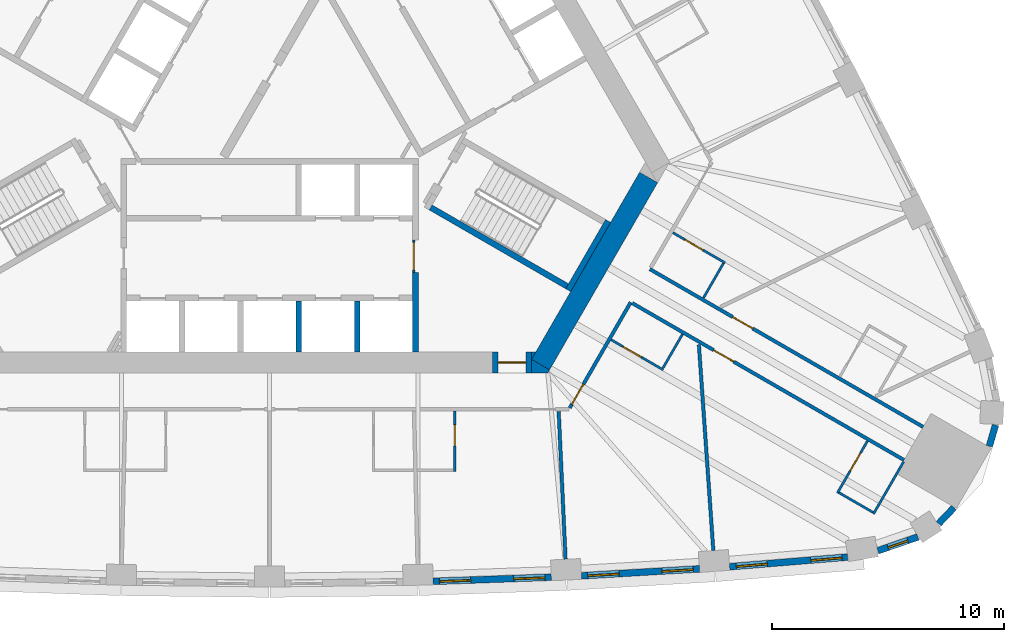
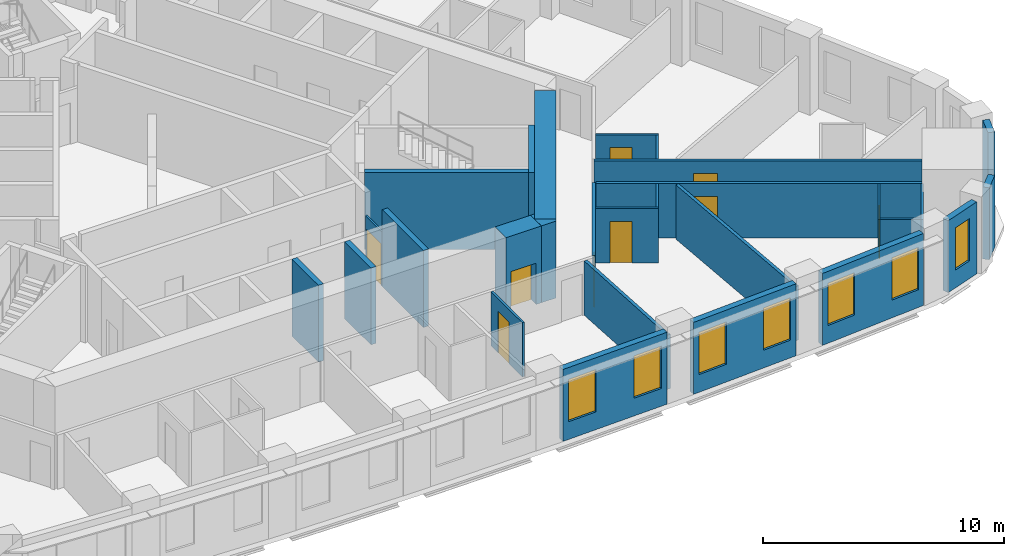
# One storey, part 7 of 12: 29 walls, 9 doors, 7 windows, 16 openings.
"""IFC4 building model written with IfcOpenShell, lengths in metres."""

import ifcopenshell
import ifcopenshell.guid

model = None  # the IFC model being written
_history = None  # IfcOwnerHistory: only IFC2X3 demands one
_inside = {}  # id of a spatial element -> (the spatial element, [elements in it])
_under = {}  # id of a project, library or spatial element -> (it, [spatial elements below it])
_declared = {}  # id of a project -> (the project, [libraries it declares])
_typed = {}  # id of a type object -> (the type object, [elements of that type])
_made_of = {}  # id of a material, layer set ... -> (it, [elements and type objects made of it])


def new_model(schema):
    """Start an empty IFC model of exactly this schema.

    Asked for "IFC4X3", IfcOpenShell would pick the latest addendum, in which some entities
    have other attributes; the version numbers below select the first issue.
    IFC2X3 requires an IfcOwnerHistory on every rooted entity: one is made here for all.
    """
    global model, _history
    if schema == "IFC4X3":
        model = ifcopenshell.file(schema_version=(4, 3, 0, 0))
    else:
        model = ifcopenshell.file(schema=schema)
    _inside.clear()
    _under.clear()
    _declared.clear()
    _typed.clear()
    _made_of.clear()
    _history = None
    if model.schema == "IFC2X3":
        org = make("IfcOrganization", Name="unknown")
        user = make(
            "IfcPersonAndOrganization",
            ThePerson=make("IfcPerson", FamilyName="unknown"),
            TheOrganization=org,
        )
        app = make(
            "IfcApplication",
            ApplicationDeveloper=org,
            Version="unknown",
            ApplicationFullName="unknown",
            ApplicationIdentifier="unknown",
        )
        _history = make(
            "IfcOwnerHistory",
            OwningUser=user,
            OwningApplication=app,
            ChangeAction="ADDED",
            CreationDate=0,
        )
    return model


def make(cls, **values):
    """One entity of the class cls with the attributes given. An attribute that is None is left unset."""
    return model.create_entity(
        cls, **{name: value for name, value in values.items() if value is not None}
    )


def rooted(cls, **values):
    """An entity with a GlobalId (a new one), such as an element, a storey or a relation."""
    return make(cls, GlobalId=ifcopenshell.guid.new(), OwnerHistory=_history, **values)


def si_unit(unit_type, name, prefix=None):
    """IfcSIUnit, for example si_unit("LENGTHUNIT", "METRE", prefix="MILLI")."""
    return make("IfcSIUnit", UnitType=unit_type, Prefix=prefix, Name=name)


def assignment(units):
    """IfcUnitAssignment: the units of a project."""
    return None if units is None else make("IfcUnitAssignment", Units=units)


def point(xyz):
    """IfcCartesianPoint."""
    return None if xyz is None else make("IfcCartesianPoint", Coordinates=xyz)


def direction(xyz):
    """IfcDirection."""
    return None if xyz is None else make("IfcDirection", DirectionRatios=xyz)


def frame(location, z_axis=None, x_axis=None):
    """IfcAxis2Placement3D, a coordinate frame: its origin and axes. An axis left out is left unset."""
    return make(
        "IfcAxis2Placement3D",
        Location=point(location),
        Axis=direction(z_axis),
        RefDirection=direction(x_axis),
    )


def frame_2d(location, x_axis=None):
    """IfcAxis2Placement2D, a coordinate frame in the plane: its origin and x axis."""
    return make(
        "IfcAxis2Placement2D", Location=point(location), RefDirection=direction(x_axis)
    )


def origin():
    """The frame at (0, 0, 0) with its axes left unset."""
    return frame((0.0, 0.0, 0.0))


def place(relative_to, where):
    """IfcLocalPlacement: puts the frame where relative to a parent placement (None: the world)."""
    return make(
        "IfcLocalPlacement", PlacementRelTo=relative_to, RelativePlacement=where
    )


def context(
    kind, dimensions, precision=None, world=None, true_north=None, identifier=None
):
    """IfcGeometricRepresentationContext, for example the 3D "Model" context."""
    return make(
        "IfcGeometricRepresentationContext",
        ContextIdentifier=identifier,
        ContextType=kind,
        CoordinateSpaceDimension=dimensions,
        Precision=precision,
        WorldCoordinateSystem=world,
        TrueNorth=true_north,
    )


def subcontext(parent, identifier, kind, view, scale=None):
    """IfcGeometricRepresentationSubContext, for example "Body" below "Model"."""
    return make(
        "IfcGeometricRepresentationSubContext",
        ContextIdentifier=identifier,
        ContextType=kind,
        ParentContext=parent,
        TargetScale=scale,
        TargetView=view,
    )


def project(units=None, contexts=None):
    """IfcProject with its units and contexts."""
    return rooted(
        "IfcProject",
        Name="project",
        RepresentationContexts=contexts,
        UnitsInContext=assignment(units),
    )


def spatial(cls, under=None, at=None, **own):
    """A site, building, storey or space (cls), placed at a placement, below another one or the project."""
    s = rooted(cls, ObjectPlacement=at, **own)
    if under is not None:
        _under.setdefault(under.id(), (under, []))[1].append(s)
    return s


def polyline(points):
    """IfcPolyline through the points."""
    return make("IfcPolyline", Points=[point(p) for p in points])


def profile(cls, at=None, kind="AREA", **sizes):
    """A parametric profile (cls). Its sizes go by their IFC names, for example OverallWidth=200.0."""
    return make(cls, ProfileType=kind, Position=at, **sizes)


def rectangle(**sizes):
    """IfcRectangleProfileDef."""
    return profile("IfcRectangleProfileDef", **sizes)


def outline(outer, holes=None, kind="AREA"):
    """IfcArbitraryClosedProfileDef: a profile drawn as a closed curve; with holes, ...WithVoids."""
    if holes is None:
        return make("IfcArbitraryClosedProfileDef", ProfileType=kind, OuterCurve=outer)
    return make(
        "IfcArbitraryProfileDefWithVoids",
        ProfileType=kind,
        OuterCurve=outer,
        InnerCurves=holes,
    )


def extrude(swept, where, along, depth):
    """IfcExtrudedAreaSolid: the profile swept, set in the frame where, extruded along a direction by depth."""
    return make(
        "IfcExtrudedAreaSolid",
        SweptArea=swept,
        Position=where,
        ExtrudedDirection=direction(along),
        Depth=depth,
    )


def shape(context_of_items, identifier, shape_type, items):
    """IfcShapeRepresentation: the items that make up one representation, for example the "Body"."""
    return make(
        "IfcShapeRepresentation",
        ContextOfItems=context_of_items,
        RepresentationIdentifier=identifier,
        RepresentationType=shape_type,
        Items=items,
    )


def material(Name=None, Category=None):
    """IfcMaterial."""
    return make("IfcMaterial", Name=Name, Category=Category)


def layer(
    of_material, thickness, ventilated=None, Name=None, Category=None, Priority=None
):
    """IfcMaterialLayer: one layer of a wall or slab, of a material (None: an air gap)."""
    return make(
        "IfcMaterialLayer",
        Material=of_material,
        LayerThickness=thickness,
        IsVentilated=ventilated,
        Name=Name,
        Category=Category,
        Priority=Priority,
    )


def layer_set(layers, Name=None):
    """IfcMaterialLayerSet."""
    return make("IfcMaterialLayerSet", MaterialLayers=layers, LayerSetName=Name)


def made_of(thing, what):
    """Note that an element or type object is made of a material, layer set ...; save() writes the relation."""
    if what is not None:
        _made_of.setdefault(what.id(), (what, []))[1].append(thing)
    return thing


def type_object(cls, material=None, **own):
    """A type object (cls), such as IfcWallType, which elements share."""
    return made_of(rooted(cls, **own), material)


def element(
    cls,
    number,
    at=None,
    inside=None,
    cuts=None,
    type_object=None,
    material=None,
    context=None,
    identifier="Body",
    shape_type=None,
    held_by="IfcProductDefinitionShape",
    body=None,
    shapes=None,
    **own,
):
    """One element of the class cls, such as IfcWall. Its Tag is "e" and its number.

    at: its placement. inside: the storey or other place that contains it. cuts: it is an
    opening in that element (IfcRelVoidsElement). A single representation is given by context,
    identifier, shape_type and body (its items); several are given by shapes. held_by: the class
    of the entity that holds the representations. save() writes the other relations.
    """
    e = rooted(cls, Tag="e%d" % number, ObjectPlacement=at, **own)
    if body is not None:
        shapes = [shape(context, identifier, shape_type, body)]
    if shapes is not None:
        e.Representation = make(held_by, Representations=shapes)
    if inside is not None:
        _inside.setdefault(inside.id(), (inside, []))[1].append(e)
    if cuts is not None:
        rooted(
            "IfcRelVoidsElement", RelatingBuildingElement=cuts, RelatedOpeningElement=e
        )
    if type_object is not None:
        _typed.setdefault(type_object.id(), (type_object, []))[1].append(e)
    return made_of(e, material)


def fill(opening, filler):
    """IfcRelFillsElement: the door or window that sits in an opening."""
    return rooted(
        "IfcRelFillsElement",
        RelatingOpeningElement=opening,
        RelatedBuildingElement=filler,
    )


def aggregate(whole, parts):
    """IfcRelAggregates: a whole, such as a stair, and the parts it consists of."""
    return rooted("IfcRelAggregates", RelatingObject=whole, RelatedObjects=parts)


def save(model, path):
    """Write the relations noted so far, then the file.

    IfcRelAggregates (storeys below a building ...), IfcRelContainedInSpatialStructure (elements
    in a storey), IfcRelDefinesByType, IfcRelAssociatesMaterial and IfcRelDeclares: one each for
    every whole, place, type object, material and project.
    """
    for whole, parts in _under.values():
        aggregate(whole, parts)
    for where, things in _inside.values():
        rooted(
            "IfcRelContainedInSpatialStructure",
            RelatedElements=things,
            RelatingStructure=where,
        )
    for kind, things in _typed.values():
        rooted("IfcRelDefinesByType", RelatedObjects=things, RelatingType=kind)
    for what, things in _made_of.values():
        rooted("IfcRelAssociatesMaterial", RelatedObjects=things, RelatingMaterial=what)
    for by, libraries in _declared.values():
        rooted("IfcRelDeclares", RelatingContext=by, RelatedDefinitions=libraries)
    model.write(path)


model = new_model("IFC4")

# Units and contexts
model_context = context("Model", 3, precision=1e-05, world=origin(), true_north=direction((0.0, 1.0)))
body_context = subcontext(model_context, "Body", "Model", "MODEL_VIEW")
ifc_project = project(units=[si_unit("LENGTHUNIT", "METRE"), si_unit("AREAUNIT", "SQUARE_METRE"), si_unit("VOLUMEUNIT", "CUBIC_METRE"), si_unit("PLANEANGLEUNIT", "RADIAN"), si_unit("MASSUNIT", "GRAM", prefix="KILO")], contexts=[model_context])

# Site, building, storey
site_placement = place(None, origin())
site = spatial("IfcSite", under=ifc_project, at=site_placement, CompositionType="ELEMENT")
building_placement = place(site_placement, origin())
building = spatial("IfcBuilding", under=site, at=building_placement, Name="Mestral Congress Tower", CompositionType="ELEMENT")
storey_placement = place(building_placement, frame((0.0, 0.0, 103.199951171875)))
storey = spatial("IfcBuildingStorey", under=building, at=storey_placement, Name="L24", CompositionType="ELEMENT", Elevation=103.199951171875)

# Wall, opening, door
ifc_material_1 = material(Name="Fire-rated board partition")
ifc_layer_1 = layer(ifc_material_1, 0.090087890625)
ifc_layer_set_1 = layer_set([ifc_layer_1], Name="Fire-rated board partition")
wall_type_1 = type_object("IfcWallType", Name="Core partition 150 door-wall 90", PredefinedType="PARTITIONING", material=ifc_layer_set_1)
wall_1_placement = place(storey_placement, frame((6.219970703125, -7.266357421875, 0.0), z_axis=(0.0, 0.0, 1.0), x_axis=(0.0, -1.0, 0.0)))
wall_1 = element("IfcWall", 1, at=wall_1_placement, inside=storey, type_object=wall_type_1, Name="L24 door wall", PredefinedType="PARTITIONING", context=body_context, shape_type="SweptSolid", body=[
    extrude(rectangle(XDim=1.400146484375, YDim=0.090087890625, at=frame_2d((0.7001953125, 0.0))), origin(), (0.0, 0.0, 1.0), 2.75),
])
opening_1_placement = place(wall_1_placement, frame((0.10009765625, 0.0, 0.0)))
opening_1 = element("IfcOpeningElement", 2, at=opening_1_placement, cuts=wall_1, Name="Opening LB0-WL1", PredefinedType="OPENING", context=body_context, shape_type="SweptSolid", body=[
    extrude(rectangle(XDim=1.199951171875, YDim=2.10009765625, at=frame_2d((0.60009765625, 1.050048828125))), frame((0.0, 0.054931640625, 0.0), z_axis=(0.0, -1.0, 0.0), x_axis=(1.0, 0.0, 0.0)), (0.0, 0.0, 1.0), 0.110107421875),
])
ifc_material_2 = material(Name="Fire-rated steel door set", Category="steel")
door_type_1 = type_object("IfcDoorType", Name="Core door LB 1200x2100", OperationType="SINGLE_SWING_LEFT", PredefinedType="DOOR", material=ifc_material_2)
door_1_placement = place(opening_1_placement, origin())
door_1 = element("IfcDoor", 3, at=door_1_placement, inside=storey, type_object=door_type_1, Name="Door LB0-WL1", OperationType="SINGLE_SWING_LEFT", OverallHeight=2.10009765625, OverallWidth=1.199951171875, PredefinedType="DOOR", context=body_context, shape_type="SweptSolid", body=[
    extrude(rectangle(XDim=1.199951171875, YDim=2.10009765625, at=frame_2d((0.60009765625, 1.050048828125))), frame((0.0, 0.02490234375, 0.0), z_axis=(0.0, -1.0, 0.0), x_axis=(1.0, 0.0, 0.0)), (0.0, 0.0, 1.0), 0.050048828125),
])
fill(opening_1, door_1)

# Walls
ifc_material_3 = material(Name="Concrete C60/75", Category="concrete")
ifc_layer_2 = layer(ifc_material_3, 0.89990234375)
ifc_layer_set_2 = layer_set([ifc_layer_2], Name="Concrete C60/75")
wall_type_2 = type_object("IfcWallType", Name="Core wall RC 900", PredefinedType="SOLIDWALL", material=ifc_layer_set_2)
wall_2_placement = place(storey_placement, frame((11.69482421875, -12.643798828125, 0.0), z_axis=(0.0, 0.0, 1.0), x_axis=(0.500010229568, 0.86601949766, 0.0)))
element("IfcWall", 4, at=wall_2_placement, inside=storey, type_object=wall_type_2, Name="L24 core wall", PredefinedType="SOLIDWALL", context=body_context, shape_type="SweptSolid", body=[
    extrude(rectangle(XDim=9.326416015625, YDim=0.89990234375, at=frame_2d((4.6630859375, 0.0))), origin(), (0.0, 0.0, 1.0), 3.900146484375),
])
placement = place(storey_placement, origin())
element("IfcWall", 5, at=placement, inside=storey, type_object=wall_type_2, Name="L24 core wall", PredefinedType="SOLIDWALL", context=body_context, shape_type="SweptSolid", body=[
    extrude(outline(polyline([(12.0087890625, -13.0), (11.31201171875, -13.0), (11.31201171875, -12.425048828125), (12.08349609375, -12.87060546875), (12.0087890625, -13.0)])), origin(), (0.0, 0.0, 1.0), 3.900146484375),
])
element("IfcWall", 6, at=placement, inside=storey, type_object=wall_type_2, Name="L24 core wall", PredefinedType="SOLIDWALL", context=body_context, shape_type="SweptSolid", body=[
    extrude(outline(polyline([(11.4892578125, -12.10009765625), (11.31201171875, -12.4072265625), (11.31201171875, -12.10009765625), (11.4892578125, -12.10009765625)])), origin(), (0.0, 0.0, 1.0), 3.900146484375),
])

# Wall, opening, door
wall_5_placement = place(storey_placement, frame((11.311767578125, -12.550048828125, 0.0), z_axis=(0.0, 0.0, 1.0), x_axis=(-1.0, 0.0, 0.0)))
wall_5 = element("IfcWall", 7, at=wall_5_placement, inside=storey, type_object=wall_type_2, Name="L24 door wall", PredefinedType="SOLIDWALL", context=body_context, shape_type="SweptSolid", body=[
    extrude(rectangle(XDim=1.699951171875, YDim=0.89990234375, at=frame_2d((0.85009765625, 0.0))), origin(), (0.0, 0.0, 1.0), 3.900146484375),
])
opening_2_placement = place(wall_5_placement, frame((0.25, 0.0, 0.0)))
opening_2 = element("IfcOpeningElement", 8, at=opening_2_placement, cuts=wall_5, Name="Opening XD1", PredefinedType="OPENING", context=body_context, shape_type="SweptSolid", body=[
    extrude(rectangle(XDim=1.199951171875, YDim=2.10009765625, at=frame_2d((0.60009765625, 1.050048828125))), frame((0.0, 0.4599609375, 0.0), z_axis=(0.0, -1.0, 0.0), x_axis=(1.0, 0.0, 0.0)), (0.0, 0.0, 1.0), 0.919921875),
])
door_type_2 = type_object("IfcDoorType", Name="Core door XD 1200x2100", OperationType="SINGLE_SWING_LEFT", PredefinedType="DOOR", material=ifc_material_2)
door_2_placement = place(opening_2_placement, origin())
door_2 = element("IfcDoor", 9, at=door_2_placement, inside=storey, type_object=door_type_2, Name="Door XD1", OperationType="SINGLE_SWING_LEFT", OverallHeight=2.10009765625, OverallWidth=1.199951171875, PredefinedType="DOOR", context=body_context, shape_type="SweptSolid", body=[
    extrude(rectangle(XDim=1.199951171875, YDim=2.10009765625, at=frame_2d((0.60009765625, 1.050048828125))), frame((0.0, 0.02490234375, 0.0), z_axis=(0.0, -1.0, 0.0), x_axis=(1.0, 0.0, 0.0)), (0.0, 0.0, 1.0), 0.050048828125),
])
fill(opening_2, door_2)

# Wall, openings, windows
ifc_material_4 = material(Name="Precast concrete C40/50 with limestone facing", Category="masonry")
ifc_layer_3 = layer(ifc_material_4, 0.2900390625)
ifc_layer_set_3 = layer_set([ifc_layer_3], Name="Precast concrete C40/50 with limestone facing")
wall_type_3 = type_object("IfcWallType", Name="Facade stone wall 290", PredefinedType="SOLIDWALL", material=ifc_layer_set_3)
wall_6_placement = place(storey_placement, frame((7.059326171875, -22.000732421875, 0.0), z_axis=(0.0, 0.0, 1.0), x_axis=(0.999385993957, 0.035037623812, 0.0)))
wall_6 = element("IfcWall", 10, at=wall_6_placement, inside=storey, type_object=wall_type_3, Name="Facade wall F0-05", PredefinedType="SOLIDWALL", context=body_context, shape_type="SweptSolid", body=[
    extrude(rectangle(XDim=5.1005859375, YDim=0.2900390625, at=frame_2d((2.55029296875, 0.0))), origin(), (0.0, 0.0, 1.0), 3.650146484375),
])
opening_3_placement = place(wall_6_placement, frame((0.272705078125, 0.0, 0.89990234375)))
opening_3 = element("IfcOpeningElement", 11, at=opening_3_placement, cuts=wall_6, Name="Opening W2", PredefinedType="OPENING", context=body_context, shape_type="SweptSolid", body=[
    extrude(rectangle(XDim=1.35009765625, YDim=2.14990234375, at=frame_2d((0.675048828125, 1.074951171875))), frame((0.0, 0.155029296875, 0.0), z_axis=(0.0, -1.0, 0.0), x_axis=(1.0, 0.0, 0.0)), (0.0, 0.0, 1.0), 0.31005859375),
])
opening_4_placement = place(wall_6_placement, frame((3.477783203125, 0.0, 0.89990234375)))
opening_4 = element("IfcOpeningElement", 12, at=opening_4_placement, cuts=wall_6, Name="Opening W2", PredefinedType="OPENING", context=body_context, shape_type="SweptSolid", body=[
    extrude(rectangle(XDim=1.35009765625, YDim=2.14990234375, at=frame_2d((0.675048828125, 1.074951171875))), frame((0.0, 0.155029296875, 0.0), z_axis=(0.0, -1.0, 0.0), x_axis=(1.0, 0.0, 0.0)), (0.0, 0.0, 1.0), 0.31005859375),
])
ifc_material_5 = material(Name="Clear low-emissivity double glazing", Category="glass")
window_type_1 = type_object("IfcWindowType", Name="Facade punched window 1350 x 2150 sill 900", PartitioningType="DOUBLE_PANEL_VERTICAL", PredefinedType="WINDOW", material=ifc_material_5)
window_1_placement = place(opening_3_placement, origin())
window_1 = element("IfcWindow", 13, at=window_1_placement, inside=storey, type_object=window_type_1, Name="Window F0-05a", OverallHeight=2.14990234375, OverallWidth=1.35009765625, PartitioningType="DOUBLE_PANEL_VERTICAL", PredefinedType="WINDOW", context=body_context, shape_type="SweptSolid", body=[
    extrude(rectangle(XDim=1.35009765625, YDim=2.14990234375, at=frame_2d((0.675048828125, 1.074951171875))), frame((0.0, 0.01513671875, 0.0), z_axis=(0.0, -1.0, 0.0), x_axis=(1.0, 0.0, 0.0)), (0.0, 0.0, 1.0), 0.06005859375),
])
fill(opening_3, window_1)
window_2_placement = place(opening_4_placement, origin())
window_2 = element("IfcWindow", 14, at=window_2_placement, inside=storey, type_object=window_type_1, Name="Window F0-05b", OverallHeight=2.14990234375, OverallWidth=1.35009765625, PartitioningType="DOUBLE_PANEL_VERTICAL", PredefinedType="WINDOW", context=body_context, shape_type="SweptSolid", body=[
    extrude(rectangle(XDim=1.35009765625, YDim=2.14990234375, at=frame_2d((0.675048828125, 1.074951171875))), frame((0.0, 0.01513671875, 0.0), z_axis=(0.0, -1.0, 0.0), x_axis=(1.0, 0.0, 0.0)), (0.0, 0.0, 1.0), 0.06005859375),
])
fill(opening_4, window_2)

wall_7_placement = place(storey_placement, frame((13.4619140625, -21.760986328125, 0.0), z_axis=(0.0, 0.0, 1.0), x_axis=(0.998290511436, 0.058447025388, 0.0)))
wall_7 = element("IfcWall", 15, at=wall_7_placement, inside=storey, type_object=wall_type_3, Name="Facade wall F0-06", PredefinedType="SOLIDWALL", context=body_context, shape_type="SweptSolid", body=[
    extrude(rectangle(XDim=5.100341796875, YDim=0.2900390625, at=frame_2d((2.55029296875, 0.0))), origin(), (0.0, 0.0, 1.0), 3.650146484375),
])
opening_5_placement = place(wall_7_placement, frame((0.2724609375, 0.0, 0.89990234375)))
opening_5 = element("IfcOpeningElement", 16, at=opening_5_placement, cuts=wall_7, Name="Opening W2", PredefinedType="OPENING", context=body_context, shape_type="SweptSolid", body=[
    extrude(rectangle(XDim=1.35009765625, YDim=2.14990234375, at=frame_2d((0.675048828125, 1.074951171875))), frame((0.0, 0.155029296875, 0.0), z_axis=(0.0, -1.0, 0.0), x_axis=(1.0, 0.0, 0.0)), (0.0, 0.0, 1.0), 0.31005859375),
])
opening_6_placement = place(wall_7_placement, frame((3.477783203125, 0.0, 0.89990234375)))
opening_6 = element("IfcOpeningElement", 17, at=opening_6_placement, cuts=wall_7, Name="Opening W2", PredefinedType="OPENING", context=body_context, shape_type="SweptSolid", body=[
    extrude(rectangle(XDim=1.35009765625, YDim=2.14990234375, at=frame_2d((0.675048828125, 1.074951171875))), frame((0.0, 0.155029296875, 0.0), z_axis=(0.0, -1.0, 0.0), x_axis=(1.0, 0.0, 0.0)), (0.0, 0.0, 1.0), 0.31005859375),
])
window_3_placement = place(opening_5_placement, origin())
window_3 = element("IfcWindow", 18, at=window_3_placement, inside=storey, type_object=window_type_1, Name="Window F0-06a", OverallHeight=2.14990234375, OverallWidth=1.35009765625, PartitioningType="DOUBLE_PANEL_VERTICAL", PredefinedType="WINDOW", context=body_context, shape_type="SweptSolid", body=[
    extrude(rectangle(XDim=1.35009765625, YDim=2.14990234375, at=frame_2d((0.675048828125, 1.074951171875))), frame((0.0, 0.01513671875, 0.0), z_axis=(0.0, -1.0, 0.0), x_axis=(1.0, 0.0, 0.0)), (0.0, 0.0, 1.0), 0.06005859375),
])
fill(opening_5, window_3)
window_4_placement = place(opening_6_placement, origin())
window_4 = element("IfcWindow", 19, at=window_4_placement, inside=storey, type_object=window_type_1, Name="Window F0-06b", OverallHeight=2.14990234375, OverallWidth=1.35009765625, PartitioningType="DOUBLE_PANEL_VERTICAL", PredefinedType="WINDOW", context=body_context, shape_type="SweptSolid", body=[
    extrude(rectangle(XDim=1.35009765625, YDim=2.14990234375, at=frame_2d((0.675048828125, 1.074951171875))), frame((0.0, 0.01513671875, 0.0), z_axis=(0.0, -1.0, 0.0), x_axis=(1.0, 0.0, 0.0)), (0.0, 0.0, 1.0), 0.06005859375),
])
fill(opening_6, window_4)

wall_8_placement = place(storey_placement, frame((19.856689453125, -21.37109375, 0.0), z_axis=(0.0, 0.0, 1.0), x_axis=(0.99665273362, 0.081751627308, 0.0)))
wall_8 = element("IfcWall", 20, at=wall_8_placement, inside=storey, type_object=wall_type_3, Name="Facade wall F0-07", PredefinedType="SOLIDWALL", context=body_context, shape_type="SweptSolid", body=[
    extrude(rectangle(XDim=5.106689453125, YDim=0.2900390625, at=frame_2d((2.55322265625, 0.0))), origin(), (0.0, 0.0, 1.0), 3.650146484375),
])
opening_7_placement = place(wall_8_placement, frame((0.285400390625, 0.0, 0.89990234375)))
opening_7 = element("IfcOpeningElement", 21, at=opening_7_placement, cuts=wall_8, Name="Opening W2", PredefinedType="OPENING", context=body_context, shape_type="SweptSolid", body=[
    extrude(rectangle(XDim=1.35009765625, YDim=2.14990234375, at=frame_2d((0.675048828125, 1.074951171875))), frame((0.0, 0.155029296875, 0.0), z_axis=(0.0, -1.0, 0.0), x_axis=(1.0, 0.0, 0.0)), (0.0, 0.0, 1.0), 0.31005859375),
])
opening_8_placement = place(wall_8_placement, frame((3.51611328125, 0.0, 0.89990234375)))
opening_8 = element("IfcOpeningElement", 22, at=opening_8_placement, cuts=wall_8, Name="Opening W2", PredefinedType="OPENING", context=body_context, shape_type="SweptSolid", body=[
    extrude(rectangle(XDim=1.35009765625, YDim=2.14990234375, at=frame_2d((0.675048828125, 1.074951171875))), frame((0.0, 0.155029296875, 0.0), z_axis=(0.0, -1.0, 0.0), x_axis=(1.0, 0.0, 0.0)), (0.0, 0.0, 1.0), 0.31005859375),
])
window_5_placement = place(opening_7_placement, origin())
window_5 = element("IfcWindow", 23, at=window_5_placement, inside=storey, type_object=window_type_1, Name="Window F0-07a", OverallHeight=2.14990234375, OverallWidth=1.35009765625, PartitioningType="DOUBLE_PANEL_VERTICAL", PredefinedType="WINDOW", context=body_context, shape_type="SweptSolid", body=[
    extrude(rectangle(XDim=1.35009765625, YDim=2.14990234375, at=frame_2d((0.675048828125, 1.074951171875))), frame((0.0, 0.01513671875, 0.0), z_axis=(0.0, -1.0, 0.0), x_axis=(1.0, 0.0, 0.0)), (0.0, 0.0, 1.0), 0.06005859375),
])
fill(opening_7, window_5)
window_6_placement = place(opening_8_placement, origin())
window_6 = element("IfcWindow", 24, at=window_6_placement, inside=storey, type_object=window_type_1, Name="Window F0-07b", OverallHeight=2.14990234375, OverallWidth=1.35009765625, PartitioningType="DOUBLE_PANEL_VERTICAL", PredefinedType="WINDOW", context=body_context, shape_type="SweptSolid", body=[
    extrude(rectangle(XDim=1.35009765625, YDim=2.14990234375, at=frame_2d((0.675048828125, 1.074951171875))), frame((0.0, 0.01513671875, 0.0), z_axis=(0.0, -1.0, 0.0), x_axis=(1.0, 0.0, 0.0)), (0.0, 0.0, 1.0), 0.06005859375),
])
fill(opening_8, window_6)

# Wall, opening, window
wall_9_placement = place(storey_placement, frame((26.260986328125, -20.67919921875, 0.0), z_axis=(0.0, 0.0, 1.0), x_axis=(0.945385815453, 0.325953462844, 0.0)))
wall_9 = element("IfcWall", 25, at=wall_9_placement, inside=storey, type_object=wall_type_3, Name="Facade wall K0-0", PredefinedType="SOLIDWALL", context=body_context, shape_type="SweptSolid", body=[
    extrude(rectangle(XDim=1.8193359375, YDim=0.2900390625, at=frame_2d((0.90966796875, 0.0))), origin(), (0.0, 0.0, 1.0), 3.650146484375),
])
opening_9_placement = place(wall_9_placement, frame((0.459716796875, 0.0, 0.89990234375)))
opening_9 = element("IfcOpeningElement", 26, at=opening_9_placement, cuts=wall_9, Name="Opening W3", PredefinedType="OPENING", context=body_context, shape_type="SweptSolid", body=[
    extrude(rectangle(XDim=0.89990234375, YDim=2.14990234375, at=frame_2d((0.449951171875, 1.074951171875))), frame((0.0, 0.155029296875, 0.0), z_axis=(0.0, -1.0, 0.0), x_axis=(1.0, 0.0, 0.0)), (0.0, 0.0, 1.0), 0.31005859375),
])
window_type_2 = type_object("IfcWindowType", Name="Facade punched window 900 x 2150 sill 900", PartitioningType="SINGLE_PANEL", PredefinedType="WINDOW", material=ifc_material_5)
window_7_placement = place(opening_9_placement, origin())
window_7 = element("IfcWindow", 27, at=window_7_placement, inside=storey, type_object=window_type_2, Name="Window K0-0", OverallHeight=2.14990234375, OverallWidth=0.89990234375, PartitioningType="SINGLE_PANEL", PredefinedType="WINDOW", context=body_context, shape_type="SweptSolid", body=[
    extrude(rectangle(XDim=0.89990234375, YDim=2.14990234375, at=frame_2d((0.449951171875, 1.074951171875))), frame((0.0, 0.01513671875, 0.0), z_axis=(0.0, -1.0, 0.0), x_axis=(1.0, 0.0, 0.0)), (0.0, 0.0, 1.0), 0.06005859375),
])
fill(opening_9, window_7)

# Walls
wall_10_placement = place(storey_placement, frame((28.88037109375, -19.50927734375, 0.0), z_axis=(0.0, 0.0, 1.0), x_axis=(0.690414427296, 0.723414071319, 0.0)))
element("IfcWall", 28, at=wall_10_placement, inside=storey, type_object=wall_type_3, Name="Facade wall K0-1", PredefinedType="SOLIDWALL", context=body_context, shape_type="SweptSolid", body=[
    extrude(rectangle(XDim=0.947021484375, YDim=0.2900390625, at=frame_2d((0.4736328125, 0.0))), origin(), (0.0, 0.0, 1.0), 3.650146484375),
])
wall_11_placement = place(storey_placement, frame((31.069091796875, -16.165283203125, 0.0), z_axis=(0.0, 0.0, 1.0), x_axis=(0.281454582132, 0.95957455062, 0.0)))
element("IfcWall", 29, at=wall_11_placement, inside=storey, type_object=wall_type_3, Name="Facade wall K0-2", PredefinedType="SOLIDWALL", context=body_context, shape_type="SweptSolid", body=[
    extrude(rectangle(XDim=0.947265625, YDim=0.2900390625, at=frame_2d((0.4736328125, 0.0))), origin(), (0.0, 0.0, 1.0), 3.650146484375),
])

# Wall, opening, door
ifc_material_6 = material(Name="Gypsum board partition on metal studs with mineral wool", Category="composite")
ifc_layer_4 = layer(ifc_material_6, 0.10009765625)
ifc_layer_set_4 = layer_set([ifc_layer_4], Name="Gypsum board partition on metal studs with mineral wool")
wall_type_4 = type_object("IfcWallType", Name="Hotel partition wall 100", PredefinedType="PARTITIONING", material=ifc_layer_set_4)
wall_12_placement = place(storey_placement, frame((7.98779296875, -17.25, 0.0), z_axis=(0.0, 0.0, 1.0), x_axis=(0.0, 1.0, 0.0)))
wall_12 = element("IfcWall", 30, at=wall_12_placement, inside=storey, type_object=wall_type_4, Name="L24-h-pod06a", PredefinedType="PARTITIONING", context=body_context, shape_type="SweptSolid", body=[
    extrude(rectangle(XDim=2.60009765625, YDim=0.10009765625, at=frame_2d((1.300048828125, 0.0))), origin(), (0.0, 0.0, 1.0), 2.75),
])
opening_10_placement = place(wall_12_placement, frame((1.10009765625, 0.0, 0.0)))
opening_10 = element("IfcOpeningElement", 31, at=opening_10_placement, cuts=wall_12, Name="Opening H07-012", PredefinedType="OPENING", context=body_context, shape_type="SweptSolid", body=[
    extrude(rectangle(XDim=0.89990234375, YDim=2.10009765625, at=frame_2d((0.449951171875, 1.050048828125))), frame((0.0, 0.06005859375, 0.0), z_axis=(0.0, -1.0, 0.0), x_axis=(1.0, 0.0, 0.0)), (0.0, 0.0, 1.0), 0.1201171875),
])
ifc_material_7 = material(Name="Timber veneer door leaf in timber frame", Category="wood")
door_type_3 = type_object("IfcDoorType", Name="Bathroom door 900", OperationType="SINGLE_SWING_LEFT", PredefinedType="DOOR", material=ifc_material_7)
door_3_placement = place(opening_10_placement, origin())
door_3 = element("IfcDoor", 32, at=door_3_placement, inside=storey, type_object=door_type_3, Name="L24-h-d012", OperationType="SINGLE_SWING_RIGHT", OverallHeight=2.10009765625, OverallWidth=0.89990234375, PredefinedType="DOOR", context=body_context, shape_type="SweptSolid", body=[
    extrude(rectangle(XDim=0.89990234375, YDim=2.10009765625, at=frame_2d((0.449951171875, 1.050048828125))), frame((0.0, 0.02490234375, 0.0), z_axis=(0.0, -1.0, 0.0), x_axis=(1.0, 0.0, 0.0)), (0.0, 0.0, 1.0), 0.050048828125),
])
fill(opening_10, door_3)

wall_13_placement = place(storey_placement, frame((14.739501953125, -11.5703125, 0.0), z_axis=(0.0, 0.0, 1.0), x_axis=(0.866021400173, -0.500006934395, 0.0)))
wall_13 = element("IfcWall", 33, at=wall_13_placement, inside=storey, type_object=wall_type_4, Name="L24-h-pod07a", PredefinedType="PARTITIONING", context=body_context, shape_type="SweptSolid", body=[
    extrude(rectangle(XDim=2.60009765625, YDim=0.10009765625, at=frame_2d((1.300048828125, 0.0))), origin(), (0.0, 0.0, 1.0), 2.75),
])
opening_11_placement = place(wall_13_placement, frame((0.60009765625, 0.0, 0.0)))
opening_11 = element("IfcOpeningElement", 34, at=opening_11_placement, cuts=wall_13, Name="Opening H07-014", PredefinedType="OPENING", context=body_context, shape_type="SweptSolid", body=[
    extrude(rectangle(XDim=0.89990234375, YDim=2.10009765625, at=frame_2d((0.449951171875, 1.050048828125))), frame((0.0, 0.06005859375, 0.0), z_axis=(0.0, -1.0, 0.0), x_axis=(1.0, 0.0, 0.0)), (0.0, 0.0, 1.0), 0.1201171875),
])
door_4_placement = place(opening_11_placement, origin())
door_4 = element("IfcDoor", 35, at=door_4_placement, inside=storey, type_object=door_type_3, Name="L24-h-d014", OperationType="SINGLE_SWING_LEFT", OverallHeight=2.10009765625, OverallWidth=0.89990234375, PredefinedType="DOOR", context=body_context, shape_type="SweptSolid", body=[
    extrude(rectangle(XDim=0.89990234375, YDim=2.10009765625, at=frame_2d((0.449951171875, 1.050048828125))), frame((0.0, 0.02490234375, 0.0), z_axis=(0.0, -1.0, 0.0), x_axis=(1.0, 0.0, 0.0)), (0.0, 0.0, 1.0), 0.050048828125),
])
fill(opening_11, door_4)

# Wall
wall_14_placement = place(storey_placement, frame((16.977783203125, -12.793212890625, 0.0), z_axis=(0.0, 0.0, 1.0), x_axis=(0.500147619332, 0.865940158947, 0.0)))
element("IfcWall", 36, at=wall_14_placement, inside=storey, type_object=wall_type_4, Name="L24-h-pod07b", PredefinedType="PARTITIONING", context=body_context, shape_type="SweptSolid", body=[
    extrude(rectangle(XDim=1.68994140625, YDim=0.10009765625, at=frame_2d((0.844970703125, 0.0))), origin(), (0.0, 0.0, 1.0), 2.75),
])

# Wall, opening, door
wall_15_placement = place(storey_placement, frame((25.806640625, -15.938720703125, 0.0), z_axis=(0.0, 0.0, 1.0), x_axis=(-0.500006934395, -0.866021400173, 0.0)))
wall_15 = element("IfcWall", 37, at=wall_15_placement, inside=storey, type_object=wall_type_4, Name="L24-h-pod08a", PredefinedType="PARTITIONING", context=body_context, shape_type="SweptSolid", body=[
    extrude(rectangle(XDim=2.60009765625, YDim=0.10009765625, at=frame_2d((1.300048828125, 0.0))), origin(), (0.0, 0.0, 1.0), 2.75),
])
opening_12_placement = place(wall_15_placement, frame((0.60009765625, 0.0, 0.0)))
opening_12 = element("IfcOpeningElement", 38, at=opening_12_placement, cuts=wall_15, Name="Opening H07-016", PredefinedType="OPENING", context=body_context, shape_type="SweptSolid", body=[
    extrude(rectangle(XDim=0.89990234375, YDim=2.10009765625, at=frame_2d((0.449951171875, 1.050048828125))), frame((0.0, 0.06005859375, 0.0), z_axis=(0.0, -1.0, 0.0), x_axis=(1.0, 0.0, 0.0)), (0.0, 0.0, 1.0), 0.1201171875),
])
door_5_placement = place(opening_12_placement, origin())
door_5 = element("IfcDoor", 39, at=door_5_placement, inside=storey, type_object=door_type_3, Name="L24-h-d016", OperationType="SINGLE_SWING_LEFT", OverallHeight=2.10009765625, OverallWidth=0.89990234375, PredefinedType="DOOR", context=body_context, shape_type="SweptSolid", body=[
    extrude(rectangle(XDim=0.89990234375, YDim=2.10009765625, at=frame_2d((0.449951171875, 1.050048828125))), frame((0.0, 0.02490234375, 0.0), z_axis=(0.0, -1.0, 0.0), x_axis=(1.0, 0.0, 0.0)), (0.0, 0.0, 1.0), 0.050048828125),
])
fill(opening_12, door_5)

# Walls
wall_16_placement = place(storey_placement, frame((24.574951171875, -18.172119140625, 0.0), z_axis=(0.0, 0.0, 1.0), x_axis=(0.865989465428, -0.500062241894, 0.0)))
element("IfcWall", 40, at=wall_16_placement, inside=storey, type_object=wall_type_4, Name="L24-h-pod08b", PredefinedType="PARTITIONING", context=body_context, shape_type="SweptSolid", body=[
    extrude(rectangle(XDim=1.699951171875, YDim=0.10009765625, at=frame_2d((0.85009765625, 0.0))), origin(), (0.0, 0.0, 1.0), 2.75),
])
wall_17_placement = place(storey_placement, frame((27.365478515625, -16.838623046875, 0.0), z_axis=(0.0, 0.0, 1.0), x_axis=(-0.500006934395, -0.866021400173, 0.0)))
element("IfcWall", 41, at=wall_17_placement, inside=storey, type_object=wall_type_4, Name="L24-h-pod08c", PredefinedType="PARTITIONING", context=body_context, shape_type="SweptSolid", body=[
    extrude(rectangle(XDim=2.60009765625, YDim=0.10009765625, at=frame_2d((1.300048828125, 0.0))), origin(), (0.0, 0.0, 1.0), 2.75),
])

# Wall, opening, door
wall_18_placement = place(storey_placement, frame((19.658935546875, -8.249755859375, 0.0), z_axis=(0.0, 0.0, 1.0), x_axis=(-0.866021400173, 0.500006934395, 0.0)))
wall_18 = element("IfcWall", 42, at=wall_18_placement, inside=storey, type_object=wall_type_4, Name="L24-h-pod10a", PredefinedType="PARTITIONING", context=body_context, shape_type="SweptSolid", body=[
    extrude(rectangle(XDim=2.60009765625, YDim=0.10009765625, at=frame_2d((1.300048828125, 0.0))), origin(), (0.0, 0.0, 1.0), 2.75),
])
opening_13_placement = place(wall_18_placement, frame((1.10009765625, 0.0, 0.0)))
opening_13 = element("IfcOpeningElement", 43, at=opening_13_placement, cuts=wall_18, Name="Opening H07-020", PredefinedType="OPENING", context=body_context, shape_type="SweptSolid", body=[
    extrude(rectangle(XDim=0.89990234375, YDim=2.10009765625, at=frame_2d((0.449951171875, 1.050048828125))), frame((0.0, 0.06005859375, 0.0), z_axis=(0.0, -1.0, 0.0), x_axis=(1.0, 0.0, 0.0)), (0.0, 0.0, 1.0), 0.1201171875),
])
door_6_placement = place(opening_13_placement, origin())
door_6 = element("IfcDoor", 44, at=door_6_placement, inside=storey, type_object=door_type_3, Name="L24-h-d020", OperationType="SINGLE_SWING_LEFT", OverallHeight=2.10009765625, OverallWidth=0.89990234375, PredefinedType="DOOR", context=body_context, shape_type="SweptSolid", body=[
    extrude(rectangle(XDim=0.89990234375, YDim=2.10009765625, at=frame_2d((0.449951171875, 1.050048828125))), frame((0.0, 0.02490234375, 0.0), z_axis=(0.0, -1.0, 0.0), x_axis=(1.0, 0.0, 0.0)), (0.0, 0.0, 1.0), 0.050048828125),
])
fill(opening_13, door_6)

# Wall
wall_19_placement = place(storey_placement, frame((19.590576171875, -8.26806640625, 0.0), z_axis=(0.0, 0.0, 1.0), x_axis=(-0.500040090343, -0.866002256377, 0.0)))
element("IfcWall", 45, at=wall_19_placement, inside=storey, type_object=wall_type_4, Name="L24-h-pod10b", PredefinedType="PARTITIONING", context=body_context, shape_type="SweptSolid", body=[
    extrude(rectangle(XDim=1.729736328125, YDim=0.10009765625, at=frame_2d((0.86474609375, 0.0))), origin(), (0.0, 0.0, 1.0), 2.75),
])

# Wall, opening, door
ifc_layer_5 = layer(ifc_material_6, 0.14990234375)
ifc_layer_set_5 = layer_set([ifc_layer_5], Name="Gypsum board partition on metal studs with mineral wool")
wall_type_5 = type_object("IfcWallType", Name="Hotel partition wall 150", PredefinedType="PARTITIONING", material=ifc_layer_set_5)
wall_20_placement = place(storey_placement, frame((16.412353515625, -8.52294921875, 0.0), z_axis=(0.0, 0.0, 1.0), x_axis=(0.866025629663, -0.499999608766, 0.0)))
wall_20 = element("IfcWall", 46, at=wall_20_placement, inside=storey, type_object=wall_type_5, Name="L24-h-cw01", PredefinedType="PARTITIONING", context=body_context, shape_type="SweptSolid", body=[
    extrude(rectangle(XDim=13.62353515625, YDim=0.14990234375, at=frame_2d((6.811767578125, 0.0))), origin(), (0.0, 0.0, 1.0), 2.75),
])
opening_14_placement = place(wall_20_placement, frame((4.134033203125, 0.0, 0.0)))
opening_14 = element("IfcOpeningElement", 47, at=opening_14_placement, cuts=wall_20, Name="Opening H07-017", PredefinedType="OPENING", context=body_context, shape_type="SweptSolid", body=[
    extrude(rectangle(XDim=1.0, YDim=2.10009765625, at=frame_2d((0.5, 1.050048828125))), frame((0.0, 0.0849609375, 0.0), z_axis=(0.0, -1.0, 0.0), x_axis=(1.0, 0.0, 0.0)), (0.0, 0.0, 1.0), 0.169921875),
])
ifc_material_8 = material(Name="Timber veneer door leaf in metal frame", Category="wood")
door_type_4 = type_object("IfcDoorType", Name="Guest room entrance door 1000", OperationType="SINGLE_SWING_LEFT", PredefinedType="DOOR", material=ifc_material_8)
door_7_placement = place(opening_14_placement, origin())
door_7 = element("IfcDoor", 48, at=door_7_placement, inside=storey, type_object=door_type_4, Name="L24-h-d017", OperationType="SINGLE_SWING_LEFT", OverallHeight=2.10009765625, OverallWidth=1.0, PredefinedType="DOOR", context=body_context, shape_type="SweptSolid", body=[
    extrude(rectangle(XDim=1.0, YDim=2.10009765625, at=frame_2d((0.5, 1.050048828125))), frame((0.0, 0.02490234375, 0.0), z_axis=(0.0, -1.0, 0.0), x_axis=(1.0, 0.0, 0.0)), (0.0, 0.0, 1.0), 0.050048828125),
])
fill(opening_14, door_7)

wall_21_placement = place(storey_placement, frame((15.58740234375, -9.951904296875, 0.0), z_axis=(0.0, 0.0, 1.0), x_axis=(-0.500016618951, -0.866015808616, 0.0)))
wall_21 = element("IfcWall", 49, at=wall_21_placement, inside=storey, type_object=wall_type_5, Name="L24-h-cw14", PredefinedType="PARTITIONING", context=body_context, shape_type="SweptSolid", body=[
    extrude(rectangle(XDim=5.268310546875, YDim=0.14990234375, at=frame_2d((2.63427734375, 0.0))), origin(), (0.0, 0.0, 1.0), 2.75),
])
opening_15_placement = place(wall_21_placement, frame((4.088134765625, 0.0, 0.0)))
opening_15 = element("IfcOpeningElement", 50, at=opening_15_placement, cuts=wall_21, Name="Opening H07-013", PredefinedType="OPENING", context=body_context, shape_type="SweptSolid", body=[
    extrude(rectangle(XDim=1.0, YDim=2.10009765625, at=frame_2d((0.5, 1.050048828125))), frame((0.0, 0.0849609375, 0.0), z_axis=(0.0, -1.0, 0.0), x_axis=(1.0, 0.0, 0.0)), (0.0, 0.0, 1.0), 0.169921875),
])
door_8_placement = place(opening_15_placement, origin())
door_8 = element("IfcDoor", 51, at=door_8_placement, inside=storey, type_object=door_type_4, Name="L24-h-d013", OperationType="SINGLE_SWING_RIGHT", OverallHeight=2.10009765625, OverallWidth=1.0, PredefinedType="DOOR", context=body_context, shape_type="SweptSolid", body=[
    extrude(rectangle(XDim=1.0, YDim=2.10009765625, at=frame_2d((0.5, 1.050048828125))), frame((0.0, 0.02490234375, 0.0), z_axis=(0.0, -1.0, 0.0), x_axis=(1.0, 0.0, 0.0)), (0.0, 0.0, 1.0), 0.050048828125),
])
fill(opening_15, door_8)

wall_22_placement = place(storey_placement, frame((27.3857421875, -16.763916015625, 0.0), z_axis=(0.0, 0.0, 1.0), x_axis=(-0.866022585856, 0.500004880763, 0.0)))
wall_22 = element("IfcWall", 52, at=wall_22_placement, inside=storey, type_object=wall_type_5, Name="L24-h-cw15", PredefinedType="PARTITIONING", context=body_context, shape_type="SweptSolid", body=[
    extrude(rectangle(XDim=13.543701171875, YDim=0.14990234375, at=frame_2d((6.77197265625, 0.0))), origin(), (0.0, 0.0, 1.0), 2.75),
])
opening_16_placement = place(wall_22_placement, frame((8.490966796875, 0.0, 0.0)))
opening_16 = element("IfcOpeningElement", 53, at=opening_16_placement, cuts=wall_22, Name="Opening H07-015", PredefinedType="OPENING", context=body_context, shape_type="SweptSolid", body=[
    extrude(rectangle(XDim=1.0, YDim=2.10009765625, at=frame_2d((0.5, 1.050048828125))), frame((0.0, 0.0849609375, 0.0), z_axis=(0.0, -1.0, 0.0), x_axis=(1.0, 0.0, 0.0)), (0.0, 0.0, 1.0), 0.169921875),
])
door_9_placement = place(opening_16_placement, origin())
door_9 = element("IfcDoor", 54, at=door_9_placement, inside=storey, type_object=door_type_4, Name="L24-h-d015", OperationType="SINGLE_SWING_RIGHT", OverallHeight=2.10009765625, OverallWidth=1.0, PredefinedType="DOOR", context=body_context, shape_type="SweptSolid", body=[
    extrude(rectangle(XDim=1.0, YDim=2.10009765625, at=frame_2d((0.5, 1.050048828125))), frame((0.0, 0.02490234375, 0.0), z_axis=(0.0, -1.0, 0.0), x_axis=(1.0, 0.0, 0.0)), (0.0, 0.0, 1.0), 0.050048828125),
])
fill(opening_16, door_9)

# Walls
wall_23_placement = place(storey_placement, frame((12.7744140625, -21.044921875, 0.0), z_axis=(0.0, 0.0, 1.0), x_axis=(-0.046750341626, 0.998906605023, 0.0)))
element("IfcWall", 55, at=wall_23_placement, inside=storey, type_object=wall_type_5, Name="L24-h-pw22", PredefinedType="PARTITIONING", context=body_context, shape_type="SweptSolid", body=[
    extrude(rectangle(XDim=6.39208984375, YDim=0.14990234375, at=frame_2d((3.196044921875, 0.0))), origin(), (0.0, 0.0, 1.0), 2.75),
])
wall_24_placement = place(storey_placement, frame((19.152587890625, -20.67138671875, 0.0), z_axis=(0.0, 0.0, 1.0), x_axis=(-0.070070736723, 0.997542025107, 0.0)))
element("IfcWall", 56, at=wall_24_placement, inside=storey, type_object=wall_type_5, Name="L24-h-pw25", PredefinedType="PARTITIONING", context=body_context, shape_type="SweptSolid", body=[
    extrude(rectangle(XDim=8.9091796875, YDim=0.14990234375, at=frame_2d((4.45458984375, 0.0))), origin(), (0.0, 0.0, 1.0), 2.75),
])
ifc_layer_6 = layer(ifc_material_3, 0.25)
ifc_layer_set_6 = layer_set([ifc_layer_6], Name="Concrete C60/75")
wall_type_6 = type_object("IfcWallType", Name="Shaft wall RC 250", PredefinedType="SOLIDWALL", material=ifc_layer_set_6)
wall_25_placement = place(storey_placement, frame((6.300048828125, -8.669921875, 0.0), z_axis=(0.0, 0.0, 1.0), x_axis=(0.0, -1.0, 0.0)))
element("IfcWall", 57, at=wall_25_placement, inside=storey, type_object=wall_type_6, Name="L24 core wall", PredefinedType="SOLIDWALL", context=body_context, shape_type="SweptSolid", body=[
    extrude(rectangle(XDim=3.43017578125, YDim=0.25, at=frame_2d((1.715087890625, 0.0))), origin(), (0.0, 0.0, 1.0), 3.900146484375),
])
for number, where, z_axis, x_axis, name in (
    (58, (3.780029296875, -12.10009765625, 0.0), (0.0, 0.0, 1.0), (0.0, 1.0, 0.0), "L24 core wall"),
    (59, (1.260009765625, -12.10009765625, 0.0), (0.0, 0.0, 1.0), (0.0, 1.0, 0.0), "L24 core wall"),
):
    element("IfcWall", number, at=place(storey_placement, frame(where, z_axis=z_axis, x_axis=x_axis)), inside=storey, type_object=wall_type_6, Name=name, PredefinedType="SOLIDWALL", context=body_context, shape_type="SweptSolid", body=[
        extrude(rectangle(XDim=2.199951171875, YDim=0.25, at=frame_2d((1.10009765625, 0.0))), origin(), (0.0, 0.0, 1.0), 3.900146484375),
    ])
ifc_layer_7 = layer(ifc_material_3, 0.25)
ifc_layer_set_7 = layer_set([ifc_layer_7], Name="Concrete C60/75")
wall_type_7 = type_object("IfcWallType", Name="Stair wall RC 250", PredefinedType="SOLIDWALL", material=ifc_layer_set_7)
wall_26_placement = place(storey_placement, frame((12.885498046875, -9.431396484375, 0.0), z_axis=(0.0, 0.0, 1.0), x_axis=(0.500020560727, 0.866013532718, 0.0)))
element("IfcWall", 60, at=wall_26_placement, inside=storey, type_object=wall_type_7, Name="L24 core wall", PredefinedType="SOLIDWALL", context=body_context, shape_type="SweptSolid", body=[
    extrude(rectangle(XDim=3.449951171875, YDim=0.25, at=frame_2d((1.72509765625, 0.0))), origin(), (0.0, 0.0, 1.0), 3.900146484375),
])
wall_27_placement = place(storey_placement, frame((12.83984375, -9.2607421875, 0.0), z_axis=(0.0, 0.0, 1.0), x_axis=(-0.866013990052, 0.500019768644, 0.0)))
element("IfcWall", 61, at=wall_27_placement, inside=storey, type_object=wall_type_7, Name="L24 core wall", PredefinedType="SOLIDWALL", context=body_context, shape_type="SweptSolid", body=[
    extrude(rectangle(XDim=6.800048828125, YDim=0.25, at=frame_2d((3.39990234375, 0.0))), origin(), (0.0, 0.0, 1.0), 3.900146484375),
])

save(model, "model.ifc")
